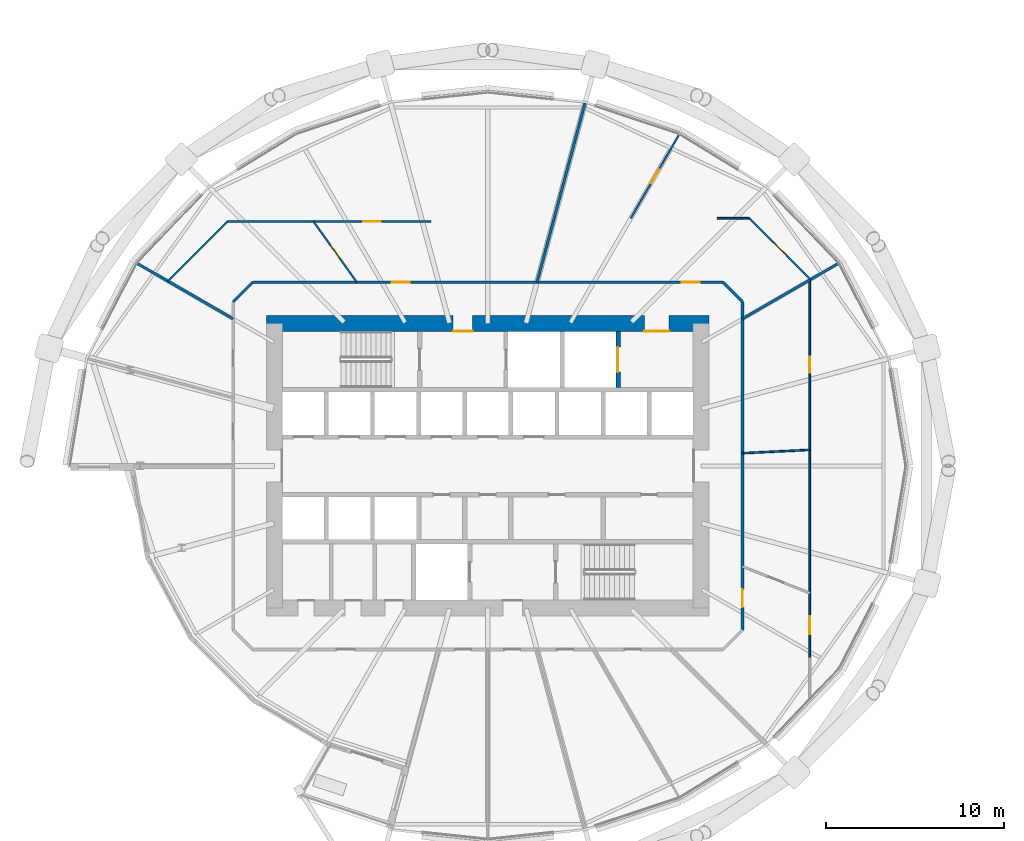
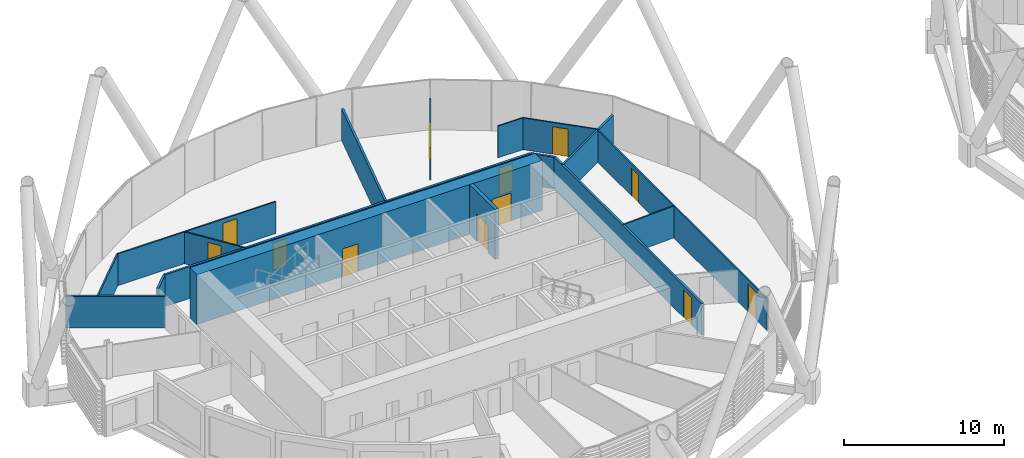
# One storey, part 22 of 36: 17 walls, 12 doors, 12 openings.
"""IFC4 building model written with IfcOpenShell, lengths in metres."""

from ifc_helpers import new_model, si_unit, direction, frame, frame_2d, origin, place, context, subcontext, project, spatial, rectangle, extrude, material, layer, layer_set, type_object, element, fill, save


model = new_model("IFC4")

# Units and contexts
model_context = context("Model", 3, precision=1e-05, world=origin(), true_north=direction((0.0, 1.0)))
body_context = subcontext(model_context, "Body", "Model", "MODEL_VIEW")
ifc_project = project(units=[si_unit("LENGTHUNIT", "METRE"), si_unit("AREAUNIT", "SQUARE_METRE"), si_unit("VOLUMEUNIT", "CUBIC_METRE"), si_unit("PLANEANGLEUNIT", "RADIAN"), si_unit("MASSUNIT", "GRAM", prefix="KILO")], contexts=[model_context])

# Site, building, storey
site_placement = place(None, origin())
site = spatial("IfcSite", under=ifc_project, at=site_placement, CompositionType="ELEMENT")
building_placement = place(site_placement, origin())
building = spatial("IfcBuilding", under=site, at=building_placement, Name="Rimbun Link Towers", CompositionType="ELEMENT")
storey_placement = place(building_placement, frame((0.0, 0.0, 64.199951171875)))
storey = spatial("IfcBuildingStorey", under=building, at=storey_placement, Name="L15", CompositionType="ELEMENT", Elevation=64.199951171875)

# Wall, openings, doors
ifc_material_1 = material(Name="Concrete C60/75", Category="concrete")
ifc_layer_1 = layer(ifc_material_1, 0.89990234375)
ifc_layer_set_1 = layer_set([ifc_layer_1], Name="Core shear wall 900")
wall_type_1 = type_object("IfcWallType", Name="Core shear wall 900", PredefinedType="SHEAR", material=ifc_layer_set_1)
wall_1_placement = place(storey_placement, frame((-44.199951171875, 8.0, 0.0), z_axis=(0.0, 0.0, 1.0), x_axis=(1.0, 0.0, 0.0)))
wall_1 = element("IfcWall", 1, at=wall_1_placement, inside=storey, type_object=wall_type_1, Name="L15 T1 core wall N", PredefinedType="SHEAR", context=body_context, shape_type="SweptSolid", body=[
    extrude(rectangle(XDim=24.89990234375, YDim=0.89990234375, at=frame_2d((12.449951171875, 0.0))), origin(), (0.0, 0.0, 1.0), 3.800048828125),
])
opening_1_placement = place(wall_1_placement, frame((10.5, 0.0, 0.0)))
opening_1 = element("IfcOpeningElement", 2, at=opening_1_placement, cuts=wall_1, Name="Opening C1DCF01N", PredefinedType="OPENING", context=body_context, shape_type="SweptSolid", body=[
    extrude(rectangle(XDim=1.10009765625, YDim=2.10009765625, at=frame_2d((0.550048828125, 1.050048828125))), frame((0.0, 0.4599609375, 0.0), z_axis=(0.0, -1.0, 0.0), x_axis=(1.0, 0.0, 0.0)), (0.0, 0.0, 1.0), 0.919921875),
])
opening_2_placement = place(wall_1_placement, frame((21.25, 0.0, 0.0)))
opening_2 = element("IfcOpeningElement", 3, at=opening_2_placement, cuts=wall_1, Name="Opening C1DSL02N", PredefinedType="OPENING", context=body_context, shape_type="SweptSolid", body=[
    extrude(rectangle(XDim=1.39990234375, YDim=2.10009765625, at=frame_2d((0.699951171875, 1.050048828125))), frame((0.0, 0.4599609375, 0.0), z_axis=(0.0, -1.0, 0.0), x_axis=(1.0, 0.0, 0.0)), (0.0, 0.0, 1.0), 0.919921875),
])
ifc_material_2 = material(Name="Steel fire door set", Category="steel")
door_type_1 = type_object("IfcDoorType", Name="Core fire door single", OperationType="SINGLE_SWING_LEFT", PredefinedType="DOOR", material=ifc_material_2)
door_1_placement = place(opening_1_placement, origin())
door_1 = element("IfcDoor", 4, at=door_1_placement, inside=storey, type_object=door_type_1, Name="L15 T1 firefighting lobby n door", OperationType="SINGLE_SWING_LEFT", OverallHeight=2.10009765625, OverallWidth=1.10009765625, PredefinedType="DOOR", context=body_context, shape_type="SweptSolid", body=[
    extrude(rectangle(XDim=1.10009765625, YDim=2.10009765625, at=frame_2d((0.550048828125, 1.050048828125))), frame((0.0, -0.39990234375, 0.0), z_axis=(0.0, -1.0, 0.0), x_axis=(1.0, 0.0, 0.0)), (0.0, 0.0, 1.0), 0.050048828125),
])
fill(opening_1, door_1)
ifc_material_3 = material(Name="Steel fire door set", Category="steel")
door_type_2 = type_object("IfcDoorType", Name="Service lobby door double", OperationType="DOUBLE_DOOR_SINGLE_SWING", PredefinedType="DOOR", material=ifc_material_3)
door_2_placement = place(opening_2_placement, origin())
door_2 = element("IfcDoor", 5, at=door_2_placement, inside=storey, type_object=door_type_2, Name="L15 T1 service lobby door", OperationType="DOUBLE_DOOR_SINGLE_SWING", OverallHeight=2.10009765625, OverallWidth=1.39990234375, PredefinedType="DOOR", context=body_context, shape_type="SweptSolid", body=[
    extrude(rectangle(XDim=1.39990234375, YDim=2.10009765625, at=frame_2d((0.699951171875, 1.050048828125))), frame((0.0, -0.39990234375, 0.0), z_axis=(0.0, -1.0, 0.0), x_axis=(1.0, 0.0, 0.0)), (0.0, 0.0, 1.0), 0.050048828125),
])
fill(opening_2, door_2)

ifc_material_4 = material(Name="Plasterboard on steel stud, mineral wool", Category="steel")
ifc_layer_2 = layer(ifc_material_4, 0.14990234375)
ifc_layer_set_2 = layer_set([ifc_layer_2], Name="Corridor wall EI 30 150 mm")
wall_type_2 = type_object("IfcWallType", Name="Corridor wall EI 30 150 mm", PredefinedType="PARTITIONING", material=ifc_layer_set_2)
wall_2_placement = place(storey_placement, frame((-44.976806640625, 10.324951171875, 0.0), z_axis=(0.0, 0.0, 1.0), x_axis=(1.0, 0.0, 0.0)))
wall_2 = element("IfcWall", 6, at=wall_2_placement, inside=storey, type_object=wall_type_2, Name="Corridor wall EI 30 150 mm", PredefinedType="PARTITIONING", context=body_context, shape_type="SweptSolid", body=[
    extrude(rectangle(XDim=26.45361328125, YDim=0.14990234375, at=frame_2d((13.226806640625, 0.0))), origin(), (0.0, 0.0, 1.0), 2.420166015625),
])
opening_3_placement = place(wall_2_placement, frame((24.140380859375, 0.0, 0.0)))
opening_3 = element("IfcOpeningElement", 7, at=opening_3_placement, cuts=wall_2, Name="Opening D01", PredefinedType="OPENING", context=body_context, shape_type="SweptSolid", body=[
    extrude(rectangle(XDim=1.0, YDim=2.10009765625, at=frame_2d((0.5, 1.050048828125))), frame((0.0, 0.0849609375, 0.0), z_axis=(0.0, -1.0, 0.0), x_axis=(1.0, 0.0, 0.0)), (0.0, 0.0, 1.0), 0.169921875),
])
opening_4_placement = place(wall_2_placement, frame((7.8291015625, 0.0, 0.0)))
opening_4 = element("IfcOpeningElement", 8, at=opening_4_placement, cuts=wall_2, Name="Opening D01", PredefinedType="OPENING", context=body_context, shape_type="SweptSolid", body=[
    extrude(rectangle(XDim=1.0, YDim=2.10009765625, at=frame_2d((0.5, 1.050048828125))), frame((0.0, 0.0849609375, 0.0), z_axis=(0.0, -1.0, 0.0), x_axis=(1.0, 0.0, 0.0)), (0.0, 0.0, 1.0), 0.169921875),
])
ifc_material_5 = material(Name="Fire-resisting timber door leaf", Category="wood")
door_type_3 = type_object("IfcDoorType", Name="Fire door FD30S 1000", OperationType="NOTDEFINED", PredefinedType="DOOR", material=ifc_material_5)
door_3_placement = place(opening_3_placement, origin())
door_3 = element("IfcDoor", 9, at=door_3_placement, inside=storey, type_object=door_type_3, Name="Fire door FD30S 1000 to Reception", OperationType="SINGLE_SWING_RIGHT", OverallHeight=2.10009765625, OverallWidth=1.0, PredefinedType="DOOR", context=body_context, shape_type="SweptSolid", body=[
    extrude(rectangle(XDim=1.0, YDim=2.10009765625, at=frame_2d((0.5, 1.050048828125))), frame((0.0, 0.02490234375, 0.0), z_axis=(0.0, -1.0, 0.0), x_axis=(1.0, 0.0, 0.0)), (0.0, 0.0, 1.0), 0.050048828125),
])
fill(opening_3, door_3)
door_4_placement = place(opening_4_placement, origin())
door_4 = element("IfcDoor", 10, at=door_4_placement, inside=storey, type_object=door_type_3, Name="Fire door FD30S 1000 to Reception", OperationType="SINGLE_SWING_LEFT", OverallHeight=2.10009765625, OverallWidth=1.0, PredefinedType="DOOR", context=body_context, shape_type="SweptSolid", body=[
    extrude(rectangle(XDim=1.0, YDim=2.10009765625, at=frame_2d((0.5, 1.050048828125))), frame((0.0, 0.02490234375, 0.0), z_axis=(0.0, -1.0, 0.0), x_axis=(1.0, 0.0, 0.0)), (0.0, 0.0, 1.0), 0.050048828125),
])
fill(opening_4, door_4)

# Wall
wall_3_placement = place(storey_placement, frame((-17.425048828125, 9.226806640625, 0.0), z_axis=(0.0, 0.0, 1.0), x_axis=(-0.707106781187, 0.707106781187, 0.0)))
element("IfcWall", 11, at=wall_3_placement, inside=storey, type_object=wall_type_2, Name="Corridor wall EI 30 150 mm", PredefinedType="PARTITIONING", context=body_context, shape_type="SweptSolid", body=[
    extrude(rectangle(XDim=1.552978515625, YDim=0.14990234375, at=frame_2d((0.7763671875, 0.0))), origin(), (0.0, 0.0, 1.0), 2.420166015625),
])

# Wall, opening, door
wall_4_placement = place(storey_placement, frame((-17.425048828125, 9.226806640625, 0.0), z_axis=(0.0, 0.0, 1.0), x_axis=(0.0, -1.0, 0.0)))
wall_4 = element("IfcWall", 12, at=wall_4_placement, inside=storey, type_object=wall_type_2, Name="Corridor wall EI 30 150 mm", PredefinedType="PARTITIONING", context=body_context, shape_type="SweptSolid", body=[
    extrude(rectangle(XDim=18.45361328125, YDim=0.14990234375, at=frame_2d((9.226806640625, 0.0))), origin(), (0.0, 0.0, 1.0), 2.420166015625),
])
opening_5_placement = place(wall_4_placement, frame((16.169921875, 0.0, 0.0)))
opening_5 = element("IfcOpeningElement", 13, at=opening_5_placement, cuts=wall_4, Name="Opening D01", PredefinedType="OPENING", context=body_context, shape_type="SweptSolid", body=[
    extrude(rectangle(XDim=1.0, YDim=2.10009765625, at=frame_2d((0.5, 1.050048828125))), frame((0.0, 0.0849609375, 0.0), z_axis=(0.0, -1.0, 0.0), x_axis=(1.0, 0.0, 0.0)), (0.0, 0.0, 1.0), 0.169921875),
])
door_5_placement = place(opening_5_placement, origin())
door_5 = element("IfcDoor", 14, at=door_5_placement, inside=storey, type_object=door_type_3, Name="Fire door FD30S 1000 to Customer lobby", OperationType="SINGLE_SWING_LEFT", OverallHeight=2.10009765625, OverallWidth=1.0, PredefinedType="DOOR", context=body_context, shape_type="SweptSolid", body=[
    extrude(rectangle(XDim=1.0, YDim=2.10009765625, at=frame_2d((0.5, 1.050048828125))), frame((0.0, 0.02490234375, 0.0), z_axis=(0.0, -1.0, 0.0), x_axis=(1.0, 0.0, 0.0)), (0.0, 0.0, 1.0), 0.050048828125),
])
fill(opening_5, door_5)

# Wall
wall_5_placement = place(storey_placement, frame((-44.976806640625, 10.324951171875, 0.0), z_axis=(0.0, 0.0, 1.0), x_axis=(-0.707106781187, -0.707106781187, 0.0)))
element("IfcWall", 15, at=wall_5_placement, inside=storey, type_object=wall_type_2, Name="Corridor wall EI 30 150 mm", PredefinedType="PARTITIONING", context=body_context, shape_type="SweptSolid", body=[
    extrude(rectangle(XDim=1.552978515625, YDim=0.14990234375, at=frame_2d((0.7763671875, 0.0))), origin(), (0.0, 0.0, 1.0), 2.420166015625),
])

# Wall, openings, doors
ifc_material_6 = material(Name="Plasterboard on steel stud", Category="steel")
ifc_layer_3 = layer(ifc_material_6, 0.10009765625)
ifc_layer_set_3 = layer_set([ifc_layer_3], Name="Plasterboard partition 100 mm")
wall_type_3 = type_object("IfcWallType", Name="Plasterboard partition 100 mm", PredefinedType="PARTITIONING", material=ifc_layer_set_3)
wall_6_placement = place(storey_placement, frame((-13.64501953125, 10.452880859375, 0.0), z_axis=(0.0, 0.0, 1.0), x_axis=(0.0, -1.0, 0.0)))
wall_6 = element("IfcWall", 16, at=wall_6_placement, inside=storey, type_object=wall_type_3, Name="Plasterboard partition 100 mm", PredefinedType="PARTITIONING", context=body_context, shape_type="SweptSolid", body=[
    extrude(rectangle(XDim=21.245361328125, YDim=0.10009765625, at=frame_2d((10.62255859375, 0.0))), origin(), (0.0, 0.0, 1.0), 2.420166015625),
])
opening_6_placement = place(wall_6_placement, frame((18.909423828125, 0.0, 0.0)))
opening_6 = element("IfcOpeningElement", 17, at=opening_6_placement, cuts=wall_6, Name="Opening D03", PredefinedType="OPENING", context=body_context, shape_type="SweptSolid", body=[
    extrude(rectangle(XDim=1.0, YDim=2.10009765625, at=frame_2d((0.5, 1.050048828125))), frame((0.0, 0.06005859375, 0.0), z_axis=(0.0, -1.0, 0.0), x_axis=(1.0, 0.0, 0.0)), (0.0, 0.0, 1.0), 0.1201171875),
])
opening_7_placement = place(wall_6_placement, frame((4.32666015625, 0.0, 0.0)))
opening_7 = element("IfcOpeningElement", 18, at=opening_7_placement, cuts=wall_6, Name="Opening D04", PredefinedType="OPENING", context=body_context, shape_type="SweptSolid", body=[
    extrude(rectangle(XDim=0.89990234375, YDim=2.10009765625, at=frame_2d((0.449951171875, 1.050048828125))), frame((0.0, 0.06005859375, 0.0), z_axis=(0.0, -1.0, 0.0), x_axis=(1.0, 0.0, 0.0)), (0.0, 0.0, 1.0), 0.1201171875),
])
ifc_material_7 = material(Name="Timber door leaf", Category="wood")
door_type_4 = type_object("IfcDoorType", Name="Flush door 1000", OperationType="NOTDEFINED", PredefinedType="DOOR", material=ifc_material_7)
door_6_placement = place(opening_6_placement, origin())
door_6 = element("IfcDoor", 19, at=door_6_placement, inside=storey, type_object=door_type_4, Name="Flush door 1000 to Banking hall", OperationType="SINGLE_SWING_RIGHT", OverallHeight=2.10009765625, OverallWidth=1.0, PredefinedType="DOOR", context=body_context, shape_type="SweptSolid", body=[
    extrude(rectangle(XDim=1.0, YDim=2.10009765625, at=frame_2d((0.5, 1.050048828125))), frame((0.0, 0.02490234375, 0.0), z_axis=(0.0, -1.0, 0.0), x_axis=(1.0, 0.0, 0.0)), (0.0, 0.0, 1.0), 0.050048828125),
])
fill(opening_6, door_6)
ifc_material_8 = material(Name="Timber door leaf", Category="wood")
door_type_5 = type_object("IfcDoorType", Name="Flush door 900", OperationType="NOTDEFINED", PredefinedType="DOOR", material=ifc_material_8)
door_7_placement = place(opening_7_placement, origin())
door_7 = element("IfcDoor", 20, at=door_7_placement, inside=storey, type_object=door_type_5, Name="Flush door 900 to Strong room", OperationType="SINGLE_SWING_LEFT", OverallHeight=2.10009765625, OverallWidth=0.89990234375, PredefinedType="DOOR", context=body_context, shape_type="SweptSolid", body=[
    extrude(rectangle(XDim=0.89990234375, YDim=2.10009765625, at=frame_2d((0.449951171875, 1.050048828125))), frame((0.0, 0.02490234375, 0.0), z_axis=(0.0, -1.0, 0.0), x_axis=(1.0, 0.0, 0.0)), (0.0, 0.0, 1.0), 0.050048828125),
])
fill(opening_7, door_7)

# Wall
wall_7_placement = place(storey_placement, frame((-13.64501953125, 0.899658203125, 0.0), z_axis=(0.0, 0.0, 1.0), x_axis=(-0.998768853147, -0.049606229288, 0.0)))
element("IfcWall", 21, at=wall_7_placement, inside=storey, type_object=wall_type_3, Name="Plasterboard partition 100 mm", PredefinedType="PARTITIONING", context=body_context, shape_type="SweptSolid", body=[
    extrude(rectangle(XDim=3.78466796875, YDim=0.10009765625, at=frame_2d((1.892333984375, 0.0))), origin(), (0.0, 0.0, 1.0), 2.420166015625),
])

# Wall, opening, door
wall_8_placement = place(storey_placement, frame((-17.0322265625, 13.925048828125, 0.0), z_axis=(0.0, 0.0, 1.0), x_axis=(0.707081696248, -0.707131865235, 0.0)))
wall_8 = element("IfcWall", 22, at=wall_8_placement, inside=storey, type_object=wall_type_3, Name="Plasterboard partition 100 mm", PredefinedType="PARTITIONING", context=body_context, shape_type="SweptSolid", body=[
    extrude(rectangle(XDim=4.866455078125, YDim=0.10009765625, at=frame_2d((2.43310546875, 0.0))), origin(), (0.0, 0.0, 1.0), 2.420166015625),
])
opening_8_placement = place(wall_8_placement, frame((1.93310546875, 0.0, 0.0)))
opening_8 = element("IfcOpeningElement", 23, at=opening_8_placement, cuts=wall_8, Name="Opening D03", PredefinedType="OPENING", context=body_context, shape_type="SweptSolid", body=[
    extrude(rectangle(XDim=1.0, YDim=2.10009765625, at=frame_2d((0.5, 1.050048828125))), frame((0.0, 0.06005859375, 0.0), z_axis=(0.0, -1.0, 0.0), x_axis=(1.0, 0.0, 0.0)), (0.0, 0.0, 1.0), 0.1201171875),
])
door_8_placement = place(opening_8_placement, origin())
door_8 = element("IfcDoor", 24, at=door_8_placement, inside=storey, type_object=door_type_4, Name="Flush door 1000 to Co-working space", OperationType="SINGLE_SWING_LEFT", OverallHeight=2.10009765625, OverallWidth=1.0, PredefinedType="DOOR", context=body_context, shape_type="SweptSolid", body=[
    extrude(rectangle(XDim=1.0, YDim=2.10009765625, at=frame_2d((0.5, 1.050048828125))), frame((0.0, 0.02490234375, 0.0), z_axis=(0.0, -1.0, 0.0), x_axis=(1.0, 0.0, 0.0)), (0.0, 0.0, 1.0), 0.050048828125),
])
fill(opening_8, door_8)

# Wall
wall_9_placement = place(storey_placement, frame((-17.0322265625, 13.925048828125, 0.0), z_axis=(0.0, 0.0, 1.0), x_axis=(-1.0, 0.0, 0.0)))
element("IfcWall", 25, at=wall_9_placement, inside=storey, type_object=wall_type_3, Name="Plasterboard partition 100 mm", PredefinedType="PARTITIONING", context=body_context, shape_type="SweptSolid", body=[
    extrude(rectangle(XDim=1.810546875, YDim=0.10009765625, at=frame_2d((0.9052734375, 0.0))), origin(), (0.0, 0.0, 1.0), 2.420166015625),
])

# Wall, opening, door
wall_10_placement = place(storey_placement, frame((-23.71044921875, 13.925048828125, 0.0), z_axis=(0.0, 0.0, 1.0), x_axis=(0.499997733992, 0.866026712061, 0.0)))
wall_10 = element("IfcWall", 26, at=wall_10_placement, inside=storey, type_object=wall_type_3, Name="Plasterboard partition 100 mm", PredefinedType="PARTITIONING", context=body_context, shape_type="SweptSolid", body=[
    extrude(rectangle(XDim=5.45068359375, YDim=0.10009765625, at=frame_2d((2.725341796875, 0.0))), origin(), (0.0, 0.0, 1.0), 2.420166015625),
])
opening_9_placement = place(wall_10_placement, frame((2.275390625, 0.0, 0.0)))
opening_9 = element("IfcOpeningElement", 27, at=opening_9_placement, cuts=wall_10, Name="Opening D04", PredefinedType="OPENING", context=body_context, shape_type="SweptSolid", body=[
    extrude(rectangle(XDim=0.89990234375, YDim=2.10009765625, at=frame_2d((0.449951171875, 1.050048828125))), frame((0.0, 0.06005859375, 0.0), z_axis=(0.0, -1.0, 0.0), x_axis=(1.0, 0.0, 0.0)), (0.0, 0.0, 1.0), 0.1201171875),
])
door_9_placement = place(opening_9_placement, origin())
door_9 = element("IfcDoor", 28, at=door_9_placement, inside=storey, type_object=door_type_5, Name="Flush door 900 to Serviced office", OperationType="SINGLE_SWING_RIGHT", OverallHeight=2.10009765625, OverallWidth=0.89990234375, PredefinedType="DOOR", context=body_context, shape_type="SweptSolid", body=[
    extrude(rectangle(XDim=0.89990234375, YDim=2.10009765625, at=frame_2d((0.449951171875, 1.050048828125))), frame((0.0, 0.02490234375, 0.0), z_axis=(0.0, -1.0, 0.0), x_axis=(1.0, 0.0, 0.0)), (0.0, 0.0, 1.0), 0.050048828125),
])
fill(opening_9, door_9)

wall_11_placement = place(storey_placement, frame((-39.114013671875, 10.324951171875, 0.0), z_axis=(0.0, 0.0, 1.0), x_axis=(-0.580605781108, 0.814184823578, 0.0)))
wall_11 = element("IfcWall", 29, at=wall_11_placement, inside=storey, type_object=wall_type_3, Name="Plasterboard partition 100 mm", PredefinedType="PARTITIONING", context=body_context, shape_type="SweptSolid", body=[
    extrude(rectangle(XDim=4.20068359375, YDim=0.10009765625, at=frame_2d((2.100341796875, 0.0))), origin(), (0.0, 0.0, 1.0), 2.420166015625),
])
opening_10_placement = place(wall_11_placement, frame((1.650390625, 0.0, 0.0)))
opening_10 = element("IfcOpeningElement", 30, at=opening_10_placement, cuts=wall_11, Name="Opening D04", PredefinedType="OPENING", context=body_context, shape_type="SweptSolid", body=[
    extrude(rectangle(XDim=0.89990234375, YDim=2.10009765625, at=frame_2d((0.449951171875, 1.050048828125))), frame((0.0, 0.06005859375, 0.0), z_axis=(0.0, -1.0, 0.0), x_axis=(1.0, 0.0, 0.0)), (0.0, 0.0, 1.0), 0.1201171875),
])
door_10_placement = place(opening_10_placement, origin())
door_10 = element("IfcDoor", 31, at=door_10_placement, inside=storey, type_object=door_type_5, Name="Flush door 900 to Meeting room", OperationType="SINGLE_SWING_LEFT", OverallHeight=2.10009765625, OverallWidth=0.89990234375, PredefinedType="DOOR", context=body_context, shape_type="SweptSolid", body=[
    extrude(rectangle(XDim=0.89990234375, YDim=2.10009765625, at=frame_2d((0.449951171875, 1.050048828125))), frame((0.0, 0.02490234375, 0.0), z_axis=(0.0, -1.0, 0.0), x_axis=(1.0, 0.0, 0.0)), (0.0, 0.0, 1.0), 0.050048828125),
])
fill(opening_10, door_10)

wall_12_placement = place(storey_placement, frame((-46.393310546875, 13.7451171875, 0.0), z_axis=(0.0, 0.0, 1.0), x_axis=(1.0, 0.0, 0.0)))
wall_12 = element("IfcWall", 32, at=wall_12_placement, inside=storey, type_object=wall_type_3, Name="Plasterboard partition 100 mm", PredefinedType="PARTITIONING", context=body_context, shape_type="SweptSolid", body=[
    extrude(rectangle(XDim=11.43701171875, YDim=0.10009765625, at=frame_2d((5.718505859375, 0.0))), origin(), (0.0, 0.0, 1.0), 2.420166015625),
])
opening_11_placement = place(wall_12_placement, frame((7.623779296875, 0.0, 0.0)))
opening_11 = element("IfcOpeningElement", 33, at=opening_11_placement, cuts=wall_12, Name="Opening D03", PredefinedType="OPENING", context=body_context, shape_type="SweptSolid", body=[
    extrude(rectangle(XDim=1.0, YDim=2.10009765625, at=frame_2d((0.5, 1.050048828125))), frame((0.0, 0.06005859375, 0.0), z_axis=(0.0, -1.0, 0.0), x_axis=(1.0, 0.0, 0.0)), (0.0, 0.0, 1.0), 0.1201171875),
])
door_11_placement = place(opening_11_placement, origin())
door_11 = element("IfcDoor", 34, at=door_11_placement, inside=storey, type_object=door_type_4, Name="Flush door 1000 to Open office", OperationType="SINGLE_SWING_RIGHT", OverallHeight=2.10009765625, OverallWidth=1.0, PredefinedType="DOOR", context=body_context, shape_type="SweptSolid", body=[
    extrude(rectangle(XDim=1.0, YDim=2.10009765625, at=frame_2d((0.5, 1.050048828125))), frame((0.0, 0.02490234375, 0.0), z_axis=(0.0, -1.0, 0.0), x_axis=(1.0, 0.0, 0.0)), (0.0, 0.0, 1.0), 0.050048828125),
])
fill(opening_11, door_11)

# Wall
wall_13_placement = place(storey_placement, frame((-46.393310546875, 13.7451171875, 0.0), z_axis=(0.0, 0.0, 1.0), x_axis=(-0.707081046221, -0.707132515215, 0.0)))
element("IfcWall", 35, at=wall_13_placement, inside=storey, type_object=wall_type_3, Name="Plasterboard partition 100 mm", PredefinedType="PARTITIONING", context=body_context, shape_type="SweptSolid", body=[
    extrude(rectangle(XDim=4.743408203125, YDim=0.10009765625, at=frame_2d((2.37158203125, 0.0))), origin(), (0.0, 0.0, 1.0), 2.420166015625),
])

# Wall, opening, door
ifc_material_9 = material(Name="Concrete C60/75", Category="concrete")
ifc_layer_4 = layer(ifc_material_9, 0.25)
ifc_layer_set_4 = layer_set([ifc_layer_4], Name="Shaft wall 250")
wall_type_4 = type_object("IfcWallType", Name="Shaft wall 250", PredefinedType="SHEAR", material=ifc_layer_set_4)
wall_14_placement = place(storey_placement, frame((-24.425048828125, 4.39990234375, 0.0), z_axis=(0.0, 0.0, 1.0), x_axis=(0.0, 1.0, 0.0)))
wall_14 = element("IfcWall", 36, at=wall_14_placement, inside=storey, type_object=wall_type_4, Name="L15 T1 core wall A4", PredefinedType="SHEAR", context=body_context, shape_type="SweptSolid", body=[
    extrude(rectangle(XDim=3.150146484375, YDim=0.25, at=frame_2d((1.5751953125, 0.0))), origin(), (0.0, 0.0, 1.0), 3.800048828125),
])
opening_12_placement = place(wall_14_placement, frame((0.875, 0.0, 0.0)))
opening_12 = element("IfcOpeningElement", 37, at=opening_12_placement, cuts=wall_14, Name="Opening LD-T1-GL1", PredefinedType="OPENING", context=body_context, shape_type="SweptSolid", body=[
    extrude(rectangle(XDim=1.39990234375, YDim=2.10009765625, at=frame_2d((0.699951171875, 1.050048828125))), frame((0.0, 0.135009765625, 0.0), z_axis=(0.0, -1.0, 0.0), x_axis=(1.0, 0.0, 0.0)), (0.0, 0.0, 1.0), 0.27001953125),
])
ifc_material_10 = material(Name="Stainless steel grade 316", Category="steel")
door_type_6 = type_object("IfcDoorType", Name="Goods lift landing door", OperationType="DOUBLE_DOOR_SLIDING", PredefinedType="DOOR", material=ifc_material_10)
door_12_placement = place(opening_12_placement, origin())
door_12 = element("IfcDoor", 38, at=door_12_placement, inside=storey, type_object=door_type_6, Name="L15 T1 lift GL1 landing door", OperationType="DOUBLE_DOOR_SLIDING", OverallHeight=2.10009765625, OverallWidth=1.39990234375, PredefinedType="DOOR", context=body_context, shape_type="SweptSolid", body=[
    extrude(rectangle(XDim=1.39990234375, YDim=2.10009765625, at=frame_2d((0.699951171875, 1.050048828125))), frame((0.0, 0.02490234375, 0.0), z_axis=(0.0, -1.0, 0.0), x_axis=(1.0, 0.0, 0.0)), (0.0, 0.0, 1.0), 0.050048828125),
])
fill(opening_12, door_12)

# Walls
ifc_material_11 = material(Name="Plasterboard on steel stud, mineral wool", Category="steel")
ifc_layer_5 = layer(ifc_material_11, 0.14990234375)
ifc_layer_set_5 = layer_set([ifc_layer_5], Name="Tenancy separation wall EI 60 150 mm")
wall_type_5 = type_object("IfcWallType", Name="Tenancy separation wall EI 60 150 mm", PredefinedType="PARTITIONING", material=ifc_layer_set_5)
wall_15_placement = place(storey_placement, frame((-17.425048828125, 8.2705078125, 0.0), z_axis=(0.0, 0.0, 1.0), x_axis=(0.866036385336, 0.499980978912, 0.0)))
element("IfcWall", 39, at=wall_15_placement, inside=storey, type_object=wall_type_5, Name="Tenancy separation wall EI 60 150 mm", PredefinedType="PARTITIONING", context=body_context, shape_type="SweptSolid", body=[
    extrude(rectangle(XDim=6.239990234375, YDim=0.14990234375, at=frame_2d((3.1201171875, 0.0))), origin(), (0.0, 0.0, 1.0), 2.420166015625),
])
wall_16_placement = place(storey_placement, frame((-28.9833984375, 10.324951171875, 0.0), z_axis=(0.0, 0.0, 1.0), x_axis=(0.258817581696, 0.965926218406, 0.0)))
element("IfcWall", 40, at=wall_16_placement, inside=storey, type_object=wall_type_5, Name="Tenancy separation wall EI 60 150 mm", PredefinedType="PARTITIONING", context=body_context, shape_type="SweptSolid", body=[
    extrude(rectangle(XDim=10.431884765625, YDim=0.14990234375, at=frame_2d((5.2158203125, 0.0))), origin(), (0.0, 0.0, 1.0), 2.420166015625),
])
wall_17_placement = place(storey_placement, frame((-46.074951171875, 8.2705078125, 0.0), z_axis=(0.0, 0.0, 1.0), x_axis=(-0.866036385336, 0.499980978912, 0.0)))
element("IfcWall", 41, at=wall_17_placement, inside=storey, type_object=wall_type_5, Name="Tenancy separation wall EI 60 150 mm", PredefinedType="PARTITIONING", context=body_context, shape_type="SweptSolid", body=[
    extrude(rectangle(XDim=6.239990234375, YDim=0.14990234375, at=frame_2d((3.1201171875, 0.0))), origin(), (0.0, 0.0, 1.0), 2.420166015625),
])

save(model, "model.ifc")
